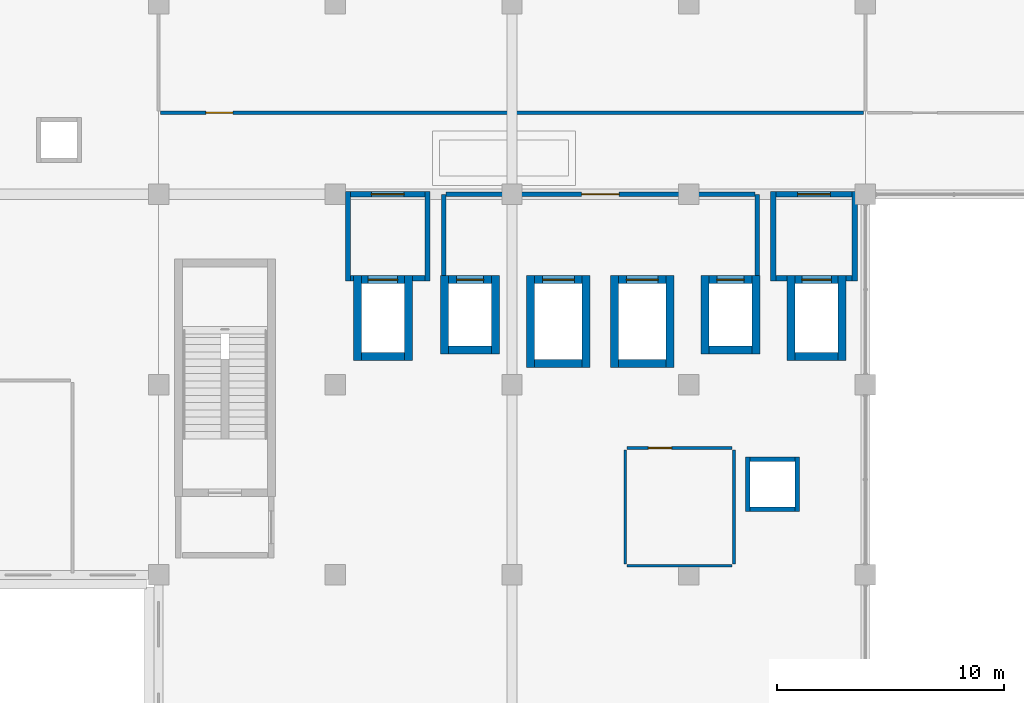
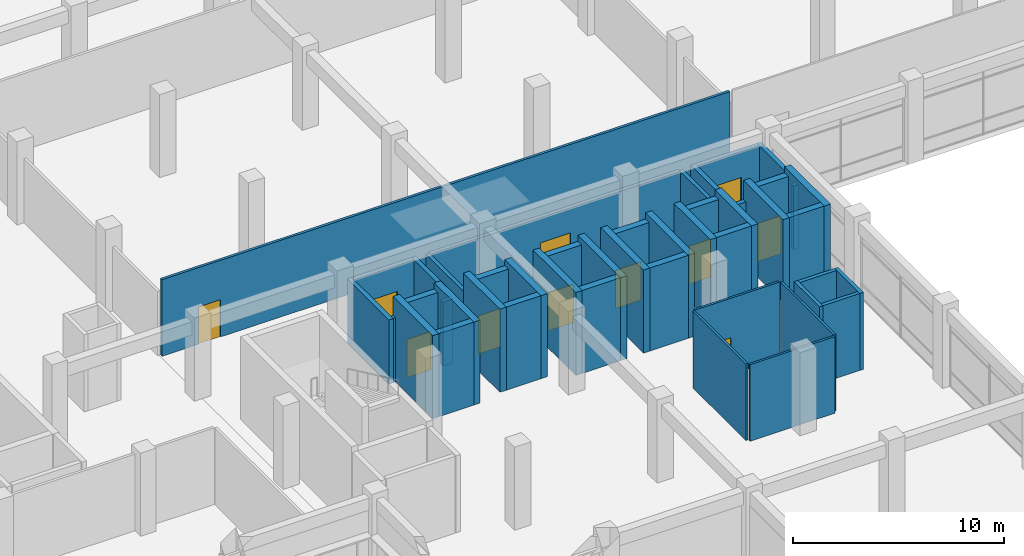
# One storey, part 55 of 79: 46 walls, 11 doors, 11 openings.
"""IFC4 building model written with IfcOpenShell, lengths in metres."""

import ifcopenshell
import ifcopenshell.guid

model = None  # the IFC model being written
_history = None  # IfcOwnerHistory: only IFC2X3 demands one
_inside = {}  # id of a spatial element -> (the spatial element, [elements in it])
_under = {}  # id of a project, library or spatial element -> (it, [spatial elements below it])
_declared = {}  # id of a project -> (the project, [libraries it declares])
_typed = {}  # id of a type object -> (the type object, [elements of that type])
_made_of = {}  # id of a material, layer set ... -> (it, [elements and type objects made of it])


def new_model(schema):
    """Start an empty IFC model of exactly this schema.

    Asked for "IFC4X3", IfcOpenShell would pick the latest addendum, in which some entities
    have other attributes; the version numbers below select the first issue.
    IFC2X3 requires an IfcOwnerHistory on every rooted entity: one is made here for all.
    """
    global model, _history
    if schema == "IFC4X3":
        model = ifcopenshell.file(schema_version=(4, 3, 0, 0))
    else:
        model = ifcopenshell.file(schema=schema)
    _inside.clear()
    _under.clear()
    _declared.clear()
    _typed.clear()
    _made_of.clear()
    _history = None
    if model.schema == "IFC2X3":
        org = make("IfcOrganization", Name="unknown")
        user = make(
            "IfcPersonAndOrganization",
            ThePerson=make("IfcPerson", FamilyName="unknown"),
            TheOrganization=org,
        )
        app = make(
            "IfcApplication",
            ApplicationDeveloper=org,
            Version="unknown",
            ApplicationFullName="unknown",
            ApplicationIdentifier="unknown",
        )
        _history = make(
            "IfcOwnerHistory",
            OwningUser=user,
            OwningApplication=app,
            ChangeAction="ADDED",
            CreationDate=0,
        )
    return model


def make(cls, **values):
    """One entity of the class cls with the attributes given. An attribute that is None is left unset."""
    return model.create_entity(
        cls, **{name: value for name, value in values.items() if value is not None}
    )


def rooted(cls, **values):
    """An entity with a GlobalId (a new one), such as an element, a storey or a relation."""
    return make(cls, GlobalId=ifcopenshell.guid.new(), OwnerHistory=_history, **values)


def si_unit(unit_type, name, prefix=None):
    """IfcSIUnit, for example si_unit("LENGTHUNIT", "METRE", prefix="MILLI")."""
    return make("IfcSIUnit", UnitType=unit_type, Prefix=prefix, Name=name)


def assignment(units):
    """IfcUnitAssignment: the units of a project."""
    return None if units is None else make("IfcUnitAssignment", Units=units)


def point(xyz):
    """IfcCartesianPoint."""
    return None if xyz is None else make("IfcCartesianPoint", Coordinates=xyz)


def direction(xyz):
    """IfcDirection."""
    return None if xyz is None else make("IfcDirection", DirectionRatios=xyz)


def frame(location, z_axis=None, x_axis=None):
    """IfcAxis2Placement3D, a coordinate frame: its origin and axes. An axis left out is left unset."""
    return make(
        "IfcAxis2Placement3D",
        Location=point(location),
        Axis=direction(z_axis),
        RefDirection=direction(x_axis),
    )


def frame_2d(location, x_axis=None):
    """IfcAxis2Placement2D, a coordinate frame in the plane: its origin and x axis."""
    return make(
        "IfcAxis2Placement2D", Location=point(location), RefDirection=direction(x_axis)
    )


def origin():
    """The frame at (0, 0, 0) with its axes left unset."""
    return frame((0.0, 0.0, 0.0))


def place(relative_to, where):
    """IfcLocalPlacement: puts the frame where relative to a parent placement (None: the world)."""
    return make(
        "IfcLocalPlacement", PlacementRelTo=relative_to, RelativePlacement=where
    )


def context(
    kind, dimensions, precision=None, world=None, true_north=None, identifier=None
):
    """IfcGeometricRepresentationContext, for example the 3D "Model" context."""
    return make(
        "IfcGeometricRepresentationContext",
        ContextIdentifier=identifier,
        ContextType=kind,
        CoordinateSpaceDimension=dimensions,
        Precision=precision,
        WorldCoordinateSystem=world,
        TrueNorth=true_north,
    )


def subcontext(parent, identifier, kind, view, scale=None):
    """IfcGeometricRepresentationSubContext, for example "Body" below "Model"."""
    return make(
        "IfcGeometricRepresentationSubContext",
        ContextIdentifier=identifier,
        ContextType=kind,
        ParentContext=parent,
        TargetScale=scale,
        TargetView=view,
    )


def project(units=None, contexts=None):
    """IfcProject with its units and contexts."""
    return rooted(
        "IfcProject",
        Name="project",
        RepresentationContexts=contexts,
        UnitsInContext=assignment(units),
    )


def spatial(cls, under=None, at=None, **own):
    """A site, building, storey or space (cls), placed at a placement, below another one or the project."""
    s = rooted(cls, ObjectPlacement=at, **own)
    if under is not None:
        _under.setdefault(under.id(), (under, []))[1].append(s)
    return s


def profile(cls, at=None, kind="AREA", **sizes):
    """A parametric profile (cls). Its sizes go by their IFC names, for example OverallWidth=200.0."""
    return make(cls, ProfileType=kind, Position=at, **sizes)


def rectangle(**sizes):
    """IfcRectangleProfileDef."""
    return profile("IfcRectangleProfileDef", **sizes)


def extrude(swept, where, along, depth):
    """IfcExtrudedAreaSolid: the profile swept, set in the frame where, extruded along a direction by depth."""
    return make(
        "IfcExtrudedAreaSolid",
        SweptArea=swept,
        Position=where,
        ExtrudedDirection=direction(along),
        Depth=depth,
    )


def shape(context_of_items, identifier, shape_type, items):
    """IfcShapeRepresentation: the items that make up one representation, for example the "Body"."""
    return make(
        "IfcShapeRepresentation",
        ContextOfItems=context_of_items,
        RepresentationIdentifier=identifier,
        RepresentationType=shape_type,
        Items=items,
    )


def material(Name=None, Category=None):
    """IfcMaterial."""
    return make("IfcMaterial", Name=Name, Category=Category)


def layer(
    of_material, thickness, ventilated=None, Name=None, Category=None, Priority=None
):
    """IfcMaterialLayer: one layer of a wall or slab, of a material (None: an air gap)."""
    return make(
        "IfcMaterialLayer",
        Material=of_material,
        LayerThickness=thickness,
        IsVentilated=ventilated,
        Name=Name,
        Category=Category,
        Priority=Priority,
    )


def layer_set(layers, Name=None):
    """IfcMaterialLayerSet."""
    return make("IfcMaterialLayerSet", MaterialLayers=layers, LayerSetName=Name)


def made_of(thing, what):
    """Note that an element or type object is made of a material, layer set ...; save() writes the relation."""
    if what is not None:
        _made_of.setdefault(what.id(), (what, []))[1].append(thing)
    return thing


def type_object(cls, material=None, **own):
    """A type object (cls), such as IfcWallType, which elements share."""
    return made_of(rooted(cls, **own), material)


def element(
    cls,
    number,
    at=None,
    inside=None,
    cuts=None,
    type_object=None,
    material=None,
    context=None,
    identifier="Body",
    shape_type=None,
    held_by="IfcProductDefinitionShape",
    body=None,
    shapes=None,
    **own,
):
    """One element of the class cls, such as IfcWall. Its Tag is "e" and its number.

    at: its placement. inside: the storey or other place that contains it. cuts: it is an
    opening in that element (IfcRelVoidsElement). A single representation is given by context,
    identifier, shape_type and body (its items); several are given by shapes. held_by: the class
    of the entity that holds the representations. save() writes the other relations.
    """
    e = rooted(cls, Tag="e%d" % number, ObjectPlacement=at, **own)
    if body is not None:
        shapes = [shape(context, identifier, shape_type, body)]
    if shapes is not None:
        e.Representation = make(held_by, Representations=shapes)
    if inside is not None:
        _inside.setdefault(inside.id(), (inside, []))[1].append(e)
    if cuts is not None:
        rooted(
            "IfcRelVoidsElement", RelatingBuildingElement=cuts, RelatedOpeningElement=e
        )
    if type_object is not None:
        _typed.setdefault(type_object.id(), (type_object, []))[1].append(e)
    return made_of(e, material)


def fill(opening, filler):
    """IfcRelFillsElement: the door or window that sits in an opening."""
    return rooted(
        "IfcRelFillsElement",
        RelatingOpeningElement=opening,
        RelatedBuildingElement=filler,
    )


def aggregate(whole, parts):
    """IfcRelAggregates: a whole, such as a stair, and the parts it consists of."""
    return rooted("IfcRelAggregates", RelatingObject=whole, RelatedObjects=parts)


def save(model, path):
    """Write the relations noted so far, then the file.

    IfcRelAggregates (storeys below a building ...), IfcRelContainedInSpatialStructure (elements
    in a storey), IfcRelDefinesByType, IfcRelAssociatesMaterial and IfcRelDeclares: one each for
    every whole, place, type object, material and project.
    """
    for whole, parts in _under.values():
        aggregate(whole, parts)
    for where, things in _inside.values():
        rooted(
            "IfcRelContainedInSpatialStructure",
            RelatedElements=things,
            RelatingStructure=where,
        )
    for kind, things in _typed.values():
        rooted("IfcRelDefinesByType", RelatedObjects=things, RelatingType=kind)
    for what, things in _made_of.values():
        rooted("IfcRelAssociatesMaterial", RelatedObjects=things, RelatingMaterial=what)
    for by, libraries in _declared.values():
        rooted("IfcRelDeclares", RelatingContext=by, RelatedDefinitions=libraries)
    model.write(path)


model = new_model("IFC4")

# Units and contexts
model_context = context("Model", 3, precision=1e-05, world=origin(), true_north=direction((0.0, 1.0)))
body_context = subcontext(model_context, "Body", "Model", "MODEL_VIEW")
ifc_project = project(units=[si_unit("LENGTHUNIT", "METRE"), si_unit("AREAUNIT", "SQUARE_METRE"), si_unit("VOLUMEUNIT", "CUBIC_METRE"), si_unit("PLANEANGLEUNIT", "RADIAN"), si_unit("MASSUNIT", "GRAM", prefix="KILO"), si_unit("THERMODYNAMICTEMPERATUREUNIT", "KELVIN"), si_unit("POWERUNIT", "WATT")], contexts=[model_context])

# Site, building, storey
site_placement = place(None, origin())
site = spatial("IfcSite", under=ifc_project, at=site_placement, CompositionType="ELEMENT")
building_placement = place(site_placement, origin())
building = spatial("IfcBuilding", under=site, at=building_placement, Name="Srebrne Nadtorze General Hospital", CompositionType="ELEMENT")
storey_placement = place(building_placement, frame((0.0, 0.0, 4.800048828125)))
storey = spatial("IfcBuildingStorey", under=building, at=storey_placement, Name="L01", CompositionType="ELEMENT", Elevation=4.800048828125)

# Wall, opening, door
ifc_material_1 = material(Name="Gypsum Healthcare Partition")
ifc_layer_1 = layer(ifc_material_1, 0.139892578125)
ifc_layer_set_1 = layer_set([ifc_layer_1], Name="Gypsum Healthcare Partition")
wall_type_1 = type_object("IfcWallType", Name="Clinical partition 140", PredefinedType="PARTITIONING", material=ifc_layer_set_1)
wall_1_placement = place(storey_placement, frame((23.485107421875, 54.0, 0.0), z_axis=(0.0, 0.0, 1.0), x_axis=(1.0, 0.0, 0.0)))
wall_1 = element("IfcWall", 1, at=wall_1_placement, inside=storey, type_object=wall_type_1, Name="Interventional Radiology Suite wall WL-INT-L01-1435", PredefinedType="PARTITIONING", context=body_context, shape_type="SweptSolid", body=[
    extrude(rectangle(XDim=31.02978515625, YDim=0.139892578125, at=frame_2d((15.514892578125, 0.0))), origin(), (0.0, 0.0, 1.0), 4.429931640625),
])
opening_1_placement = place(wall_1_placement, frame((1.995849609375, 0.0, 0.0)))
opening_1 = element("IfcOpeningElement", 2, at=opening_1_placement, cuts=wall_1, Name="Opening D-L01-0224", PredefinedType="OPENING", context=body_context, shape_type="SweptSolid", body=[
    extrude(rectangle(XDim=1.199951171875, YDim=2.14990234375, at=frame_2d((0.60009765625, 1.074951171875))), frame((0.0, 0.08203125, 0.0), z_axis=(0.0, -1.0, 0.0), x_axis=(1.0, 0.0, 0.0)), (0.0, 0.0, 1.0), 0.163818359375),
])
ifc_material_2 = material(Name="Anodised Aluminium", Category="aluminium")
door_type_1 = type_object("IfcDoorType", Name="Single leaf door 1200x2150", OperationType="NOTDEFINED", PredefinedType="DOOR", material=ifc_material_2)
door_1_placement = place(opening_1_placement, origin())
door_1 = element("IfcDoor", 3, at=door_1_placement, inside=storey, type_object=door_type_1, Name="Interventional Radiology Suite door D-L01-0224", OperationType="SINGLE_SWING_LEFT", OverallHeight=2.14990234375, OverallWidth=1.199951171875, PredefinedType="DOOR", context=body_context, shape_type="SweptSolid", body=[
    extrude(rectangle(XDim=1.199951171875, YDim=2.14990234375, at=frame_2d((0.60009765625, 1.074951171875))), frame((0.0, 0.02490234375, 0.0), z_axis=(0.0, -1.0, 0.0), x_axis=(1.0, 0.0, 0.0)), (0.0, 0.0, 1.0), 0.050048828125),
])
fill(opening_1, door_1)

# Walls
ifc_material_3 = material(Name="Gypsum Healthcare Partition")
ifc_layer_2 = layer(ifc_material_3, 0.199951171875)
ifc_layer_set_2 = layer_set([ifc_layer_2], Name="Gypsum Healthcare Partition")
wall_type_2 = type_object("IfcWallType", Name="Compartment wall 200", PredefinedType="STANDARD", material=ifc_layer_set_2)
for number, where, z_axis, x_axis, name in (
    (4, (35.97998046875, 46.81005859375, 0.0), (0.0, 0.0, 1.0), (0.0, 1.0, 0.0), "Lift lobby side wall WL-INT-L01-0946"),
    (5, (49.820068359375, 46.81005859375, 0.0), (0.0, 0.0, 1.0), (0.0, 1.0, 0.0), "Lift lobby side wall WL-INT-L01-0947"),
):
    element("IfcWall", number, at=place(storey_placement, frame(where, z_axis=z_axis, x_axis=x_axis)), inside=storey, type_object=wall_type_2, Name=name, PredefinedType="STANDARD", context=body_context, shape_type="SweptSolid", body=[
        extrude(rectangle(XDim=3.58984375, YDim=0.199951171875, at=frame_2d((1.794921875, 0.0))), origin(), (0.0, 0.0, 1.0), 3.699951171875),
    ])

# Wall, opening, door
wall_2_placement = place(storey_placement, frame((36.080078125, 50.39990234375, 0.0), z_axis=(0.0, 0.0, 1.0), x_axis=(1.0, 0.0, 0.0)))
wall_2 = element("IfcWall", 6, at=wall_2_placement, inside=storey, type_object=wall_type_2, Name="Lift lobby corridor wall WL-INT-L01-0948", PredefinedType="STANDARD", context=body_context, shape_type="SweptSolid", body=[
    extrude(rectangle(XDim=13.639892578125, YDim=0.199951171875, at=frame_2d((6.81982421875, 0.0))), origin(), (0.0, 0.0, 1.0), 3.699951171875),
])
opening_2_placement = place(wall_2_placement, frame((5.9951171875, 0.0, 0.0)))
opening_2 = element("IfcOpeningElement", 7, at=opening_2_placement, cuts=wall_2, Name="Opening D-L01-0129", PredefinedType="OPENING", context=body_context, shape_type="SweptSolid", body=[
    extrude(rectangle(XDim=1.64990234375, YDim=2.25, at=frame_2d((0.824951171875, 1.125))), frame((0.0, 0.11181640625, 0.0), z_axis=(0.0, -1.0, 0.0), x_axis=(1.0, 0.0, 0.0)), (0.0, 0.0, 1.0), 0.223876953125),
])
ifc_material_4 = material(Name="Anodised Aluminium", Category="aluminium")
door_type_2 = type_object("IfcDoorType", Name="Double leaf door 1650x2250", OperationType="DOUBLE_DOOR_SINGLE_SWING", PredefinedType="DOOR", material=ifc_material_4)
door_2_placement = place(opening_2_placement, origin())
door_2 = element("IfcDoor", 8, at=door_2_placement, inside=storey, type_object=door_type_2, Name="Lift lobby corridor door D-L01-0129", OperationType="DOUBLE_DOOR_SINGLE_SWING", OverallHeight=2.25, OverallWidth=1.64990234375, PredefinedType="DOOR", context=body_context, shape_type="SweptSolid", body=[
    extrude(rectangle(XDim=1.64990234375, YDim=2.25, at=frame_2d((0.824951171875, 1.125))), frame((0.0, 0.02490234375, 0.0), z_axis=(0.0, -1.0, 0.0), x_axis=(1.0, 0.0, 0.0)), (0.0, 0.0, 1.0), 0.050048828125),
])
fill(opening_2, door_2)

# Walls
for number, where, z_axis, x_axis, name in (
    (9, (49.39990234375, 36.39990234375, 0.0), (0.0, 0.0, 1.0), (0.0, 1.0, 0.0), "MEP riser wall WL-INT-L01-0957"),
    (10, (51.60009765625, 36.39990234375, 0.0), (0.0, 0.0, 1.0), (0.0, 1.0, 0.0), "MEP riser wall WL-INT-L01-0958"),
):
    element("IfcWall", number, at=place(storey_placement, frame(where, z_axis=z_axis, x_axis=x_axis)), inside=storey, type_object=wall_type_2, Name=name, PredefinedType="STANDARD", context=body_context, shape_type="SweptSolid", body=[
        extrude(rectangle(XDim=2.400146484375, YDim=0.199951171875, at=frame_2d((1.2001953125, 0.0))), origin(), (0.0, 0.0, 1.0), 4.449951171875),
    ])
for number, where, z_axis, x_axis, name in (
    (11, (49.5, 36.5, 0.0), (0.0, 0.0, 1.0), (1.0, 0.0, 0.0), "MEP riser wall WL-INT-L01-0959"),
    (12, (49.5, 38.699951171875, 0.0), (0.0, 0.0, 1.0), (1.0, 0.0, 0.0), "MEP riser wall WL-INT-L01-0960"),
):
    element("IfcWall", number, at=place(storey_placement, frame(where, z_axis=z_axis, x_axis=x_axis)), inside=storey, type_object=wall_type_2, Name=name, PredefinedType="STANDARD", context=body_context, shape_type="SweptSolid", body=[
        extrude(rectangle(XDim=2.0, YDim=0.199951171875, at=frame_2d((1.0, 0.0))), origin(), (0.0, 0.0, 1.0), 4.449951171875),
    ])
ifc_material_5 = material(Name="Gypsum Healthcare Partition")
ifc_layer_3 = layer(ifc_material_5, 0.239990234375)
ifc_layer_set_3 = layer_set([ifc_layer_3], Name="Gypsum Healthcare Partition")
wall_type_3 = type_object("IfcWallType", Name="Corridor fire wall 240", PredefinedType="STANDARD", material=ifc_layer_set_3)
for number, where, z_axis, x_axis, name in (
    (13, (31.760009765625, 46.570068359375, 0.0), (0.0, 0.0, 1.0), (0.0, 1.0, 0.0), "FF lift lobby wall WL-INT-L01-0936"),
    (14, (35.27001953125, 46.570068359375, 0.0), (0.0, 0.0, 1.0), (0.0, 1.0, 0.0), "FF lift lobby wall WL-INT-L01-0937"),
):
    element("IfcWall", number, at=place(storey_placement, frame(where, z_axis=z_axis, x_axis=x_axis)), inside=storey, type_object=wall_type_3, Name=name, PredefinedType="STANDARD", context=body_context, shape_type="SweptSolid", body=[
        extrude(rectangle(XDim=3.949951171875, YDim=0.239990234375, at=frame_2d((1.97509765625, 0.0))), origin(), (0.0, 0.0, 1.0), 3.699951171875),
    ])
wall_3_placement = place(storey_placement, frame((31.8798828125, 46.68994140625, 0.0), z_axis=(0.0, 0.0, 1.0), x_axis=(1.0, 0.0, 0.0)))
element("IfcWall", 15, at=wall_3_placement, inside=storey, type_object=wall_type_3, Name="FF lift lobby return wall WL-INT-L01-0938", PredefinedType="STANDARD", context=body_context, shape_type="SweptSolid", body=[
    extrude(rectangle(XDim=0.1201171875, YDim=0.239990234375, at=frame_2d((0.06005859375, 0.0))), origin(), (0.0, 0.0, 1.0), 3.699951171875),
])
wall_4_placement = place(storey_placement, frame((34.60009765625, 46.68994140625, 0.0), z_axis=(0.0, 0.0, 1.0), x_axis=(1.0, 0.0, 0.0)))
element("IfcWall", 16, at=wall_4_placement, inside=storey, type_object=wall_type_3, Name="FF lift lobby return wall WL-INT-L01-0939", PredefinedType="STANDARD", context=body_context, shape_type="SweptSolid", body=[
    extrude(rectangle(XDim=0.5498046875, YDim=0.239990234375, at=frame_2d((0.27490234375, 0.0))), origin(), (0.0, 0.0, 1.0), 3.699951171875),
])

# Wall, opening, door
wall_5_placement = place(storey_placement, frame((31.8798828125, 50.39990234375, 0.0), z_axis=(0.0, 0.0, 1.0), x_axis=(1.0, 0.0, 0.0)))
wall_5 = element("IfcWall", 17, at=wall_5_placement, inside=storey, type_object=wall_type_3, Name="FF lift lobby front wall WL-INT-L01-0940", PredefinedType="STANDARD", context=body_context, shape_type="SweptSolid", body=[
    extrude(rectangle(XDim=3.27001953125, YDim=0.239990234375, at=frame_2d((1.635009765625, 0.0))), origin(), (0.0, 0.0, 1.0), 3.699951171875),
])
opening_3_placement = place(wall_5_placement, frame((0.909912109375, 0.0, 0.0)))
opening_3 = element("IfcOpeningElement", 18, at=opening_3_placement, cuts=wall_5, Name="Opening D-L01-0127", PredefinedType="OPENING", context=body_context, shape_type="SweptSolid", body=[
    extrude(rectangle(XDim=1.449951171875, YDim=2.199951171875, at=frame_2d((0.72509765625, 1.10009765625))), frame((0.0, 0.1318359375, 0.0), z_axis=(0.0, -1.0, 0.0), x_axis=(1.0, 0.0, 0.0)), (0.0, 0.0, 1.0), 0.263916015625),
])
ifc_material_6 = material(Name="Anodised Aluminium", Category="aluminium")
door_type_3 = type_object("IfcDoorType", Name="Double leaf door 1450x2200", OperationType="DOUBLE_DOOR_SINGLE_SWING", PredefinedType="DOOR", material=ifc_material_6)
door_3_placement = place(opening_3_placement, origin())
door_3 = element("IfcDoor", 19, at=door_3_placement, inside=storey, type_object=door_type_3, Name="Firefighting lift lobby door D-L01-0127", OperationType="DOUBLE_DOOR_SINGLE_SWING", OverallHeight=2.199951171875, OverallWidth=1.449951171875, PredefinedType="DOOR", context=body_context, shape_type="SweptSolid", body=[
    extrude(rectangle(XDim=1.449951171875, YDim=2.199951171875, at=frame_2d((0.72509765625, 1.10009765625))), frame((0.0, 0.02490234375, 0.0), z_axis=(0.0, -1.0, 0.0), x_axis=(1.0, 0.0, 0.0)), (0.0, 0.0, 1.0), 0.050048828125),
])
fill(opening_3, door_3)

# Walls
for number, where, z_axis, x_axis, name in (
    (20, (50.530029296875, 46.570068359375, 0.0), (0.0, 0.0, 1.0), (0.0, 1.0, 0.0), "FF lift lobby wall WL-INT-L01-0941"),
    (21, (54.139892578125, 46.570068359375, 0.0), (0.0, 0.0, 1.0), (0.0, 1.0, 0.0), "FF lift lobby wall WL-INT-L01-0942"),
):
    element("IfcWall", number, at=place(storey_placement, frame(where, z_axis=z_axis, x_axis=x_axis)), inside=storey, type_object=wall_type_3, Name=name, PredefinedType="STANDARD", context=body_context, shape_type="SweptSolid", body=[
        extrude(rectangle(XDim=3.949951171875, YDim=0.239990234375, at=frame_2d((1.97509765625, 0.0))), origin(), (0.0, 0.0, 1.0), 3.699951171875),
    ])
wall_6_placement = place(storey_placement, frame((50.64990234375, 46.68994140625, 0.0), z_axis=(0.0, 0.0, 1.0), x_axis=(1.0, 0.0, 0.0)))
element("IfcWall", 22, at=wall_6_placement, inside=storey, type_object=wall_type_3, Name="FF lift lobby return wall WL-INT-L01-0943", PredefinedType="STANDARD", context=body_context, shape_type="SweptSolid", body=[
    extrude(rectangle(XDim=0.5, YDim=0.239990234375, at=frame_2d((0.25, 0.0))), origin(), (0.0, 0.0, 1.0), 3.699951171875),
])
wall_7_placement = place(storey_placement, frame((53.75, 46.68994140625, 0.0), z_axis=(0.0, 0.0, 1.0), x_axis=(1.0, 0.0, 0.0)))
element("IfcWall", 23, at=wall_7_placement, inside=storey, type_object=wall_type_3, Name="FF lift lobby return wall WL-INT-L01-0944", PredefinedType="STANDARD", context=body_context, shape_type="SweptSolid", body=[
    extrude(rectangle(XDim=0.27001953125, YDim=0.239990234375, at=frame_2d((0.135009765625, 0.0))), origin(), (0.0, 0.0, 1.0), 3.699951171875),
])

# Wall, opening, door
wall_8_placement = place(storey_placement, frame((50.64990234375, 50.39990234375, 0.0), z_axis=(0.0, 0.0, 1.0), x_axis=(1.0, 0.0, 0.0)))
wall_8 = element("IfcWall", 24, at=wall_8_placement, inside=storey, type_object=wall_type_3, Name="FF lift lobby front wall WL-INT-L01-0945", PredefinedType="STANDARD", context=body_context, shape_type="SweptSolid", body=[
    extrude(rectangle(XDim=3.3701171875, YDim=0.239990234375, at=frame_2d((1.68505859375, 0.0))), origin(), (0.0, 0.0, 1.0), 3.699951171875),
])
opening_4_placement = place(wall_8_placement, frame((0.9599609375, 0.0, 0.0)))
opening_4 = element("IfcOpeningElement", 25, at=opening_4_placement, cuts=wall_8, Name="Opening D-L01-0128", PredefinedType="OPENING", context=body_context, shape_type="SweptSolid", body=[
    extrude(rectangle(XDim=1.449951171875, YDim=2.199951171875, at=frame_2d((0.72509765625, 1.10009765625))), frame((0.0, 0.1318359375, 0.0), z_axis=(0.0, -1.0, 0.0), x_axis=(1.0, 0.0, 0.0)), (0.0, 0.0, 1.0), 0.263916015625),
])
door_4_placement = place(opening_4_placement, origin())
door_4 = element("IfcDoor", 26, at=door_4_placement, inside=storey, type_object=door_type_3, Name="Firefighting lift lobby door D-L01-0128", OperationType="DOUBLE_DOOR_SINGLE_SWING", OverallHeight=2.199951171875, OverallWidth=1.449951171875, PredefinedType="DOOR", context=body_context, shape_type="SweptSolid", body=[
    extrude(rectangle(XDim=1.449951171875, YDim=2.199951171875, at=frame_2d((0.72509765625, 1.10009765625))), frame((0.0, 0.02490234375, 0.0), z_axis=(0.0, -1.0, 0.0), x_axis=(1.0, 0.0, 0.0)), (0.0, 0.0, 1.0), 0.050048828125),
])
fill(opening_4, door_4)

ifc_material_7 = material(Name="Gypsum Healthcare Partition")
ifc_layer_4 = layer(ifc_material_7, 0.1201171875)
ifc_layer_set_4 = layer_set([ifc_layer_4], Name="Gypsum Healthcare Partition")
wall_type_4 = type_object("IfcWallType", Name="En-suite partition 120", PredefinedType="PARTITIONING", material=ifc_layer_set_4)
wall_9_placement = place(storey_placement, frame((44.0849609375, 39.199951171875, 0.0), z_axis=(0.0, 0.0, 1.0), x_axis=(1.0, 0.0, 0.0)))
wall_9 = element("IfcWall", 27, at=wall_9_placement, inside=storey, type_object=wall_type_4, Name="Accessible WC wall WL-INT-L01-1479", PredefinedType="PARTITIONING", context=body_context, shape_type="SweptSolid", body=[
    extrude(rectangle(XDim=4.630126953125, YDim=0.1201171875, at=frame_2d((2.31494140625, 0.0))), origin(), (0.0, 0.0, 1.0), 4.429931640625),
])
opening_5_placement = place(wall_9_placement, frame((0.941162109375, 0.0, 0.0)))
opening_5 = element("IfcOpeningElement", 28, at=opening_5_placement, cuts=wall_9, Name="Opening D-L01-0235", PredefinedType="OPENING", context=body_context, shape_type="SweptSolid", body=[
    extrude(rectangle(XDim=1.02001953125, YDim=2.14990234375, at=frame_2d((0.510009765625, 1.074951171875))), frame((0.0, 0.072021484375, 0.0), z_axis=(0.0, -1.0, 0.0), x_axis=(1.0, 0.0, 0.0)), (0.0, 0.0, 1.0), 0.14404296875),
])
ifc_material_8 = material(Name="Anodised Aluminium", Category="aluminium")
door_type_4 = type_object("IfcDoorType", Name="Single leaf door 1020x2150", OperationType="NOTDEFINED", PredefinedType="DOOR", material=ifc_material_8)
door_5_placement = place(opening_5_placement, frame((1.02001953125, 0.0, 0.0), z_axis=(0.0, 0.0, 1.0), x_axis=(-1.0, 0.0, 0.0)))
door_5 = element("IfcDoor", 29, at=door_5_placement, inside=storey, type_object=door_type_4, Name="Accessible WC door D-L01-0235", OperationType="SINGLE_SWING_RIGHT", OverallHeight=2.14990234375, OverallWidth=1.02001953125, PredefinedType="DOOR", context=body_context, shape_type="SweptSolid", body=[
    extrude(rectangle(XDim=1.02001953125, YDim=2.14990234375, at=frame_2d((0.510009765625, 1.074951171875))), frame((0.0, 0.02490234375, 0.0), z_axis=(0.0, -1.0, 0.0), x_axis=(1.0, 0.0, 0.0)), (0.0, 0.0, 1.0), 0.050048828125),
])
fill(opening_5, door_5)

# Walls
wall_10_placement = place(storey_placement, frame((44.0849609375, 34.0, 0.0), z_axis=(0.0, 0.0, 1.0), x_axis=(1.0, 0.0, 0.0)))
element("IfcWall", 30, at=wall_10_placement, inside=storey, type_object=wall_type_4, Name="Accessible WC wall WL-INT-L01-1480", PredefinedType="PARTITIONING", context=body_context, shape_type="SweptSolid", body=[
    extrude(rectangle(XDim=4.630126953125, YDim=0.1201171875, at=frame_2d((2.31494140625, 0.0))), origin(), (0.0, 0.0, 1.0), 4.429931640625),
])
for number, where, z_axis, x_axis, name in (
    (31, (44.0, 34.0849609375, 0.0), (0.0, 0.0, 1.0), (0.0, 1.0, 0.0), "Accessible WC wall WL-INT-L01-1481"),
    (32, (48.800048828125, 34.0849609375, 0.0), (0.0, 0.0, 1.0), (0.0, 1.0, 0.0), "Accessible WC wall WL-INT-L01-1482"),
):
    element("IfcWall", number, at=place(storey_placement, frame(where, z_axis=z_axis, x_axis=x_axis)), inside=storey, type_object=wall_type_4, Name=name, PredefinedType="PARTITIONING", context=body_context, shape_type="SweptSolid", body=[
        extrude(rectangle(XDim=5.030029296875, YDim=0.1201171875, at=frame_2d((2.51513671875, 0.0))), origin(), (0.0, 0.0, 1.0), 4.429931640625),
    ])
ifc_material_9 = material(Name="Concrete C40/50", Category="concrete")
ifc_layer_5 = layer(ifc_material_9, 0.35009765625)
ifc_layer_set_5 = layer_set([ifc_layer_5], Name="Concrete C40/50")
wall_type_5 = type_object("IfcWallType", Name="Shear core wall 350", PredefinedType="SHEAR", material=ifc_layer_set_5)
for number, where, z_axis, x_axis, name in (
    (33, (32.175048828125, 43.06005859375, 0.0), (0.0, 0.0, 1.0), (0.0, 1.0, 0.0), "Lift shaft wall FL-01 WL-INT-L01-0474"),
    (34, (34.425048828125, 43.06005859375, 0.0), (0.0, 0.0, 1.0), (0.0, 1.0, 0.0), "Lift shaft wall FL-01 WL-INT-L01-0475"),
):
    element("IfcWall", number, at=place(storey_placement, frame(where, z_axis=z_axis, x_axis=x_axis)), inside=storey, type_object=wall_type_5, Name=name, PredefinedType="SHEAR", context=body_context, shape_type="SweptSolid", body=[
        extrude(rectangle(XDim=3.75, YDim=0.35009765625, at=frame_2d((1.875, 0.0))), origin(), (0.0, 0.0, 1.0), 4.800048828125),
    ])
wall_11_placement = place(storey_placement, frame((32.35009765625, 43.235107421875, 0.0), z_axis=(0.0, 0.0, 1.0), x_axis=(1.0, 0.0, 0.0)))
element("IfcWall", 35, at=wall_11_placement, inside=storey, type_object=wall_type_5, Name="Lift shaft back wall FL-01 WL-INT-L01-0476", PredefinedType="SHEAR", context=body_context, shape_type="SweptSolid", body=[
    extrude(rectangle(XDim=1.89990234375, YDim=0.35009765625, at=frame_2d((0.949951171875, 0.0))), origin(), (0.0, 0.0, 1.0), 4.800048828125),
])

# Wall, opening, door
wall_12_placement = place(storey_placement, frame((32.35009765625, 46.635009765625, 0.0), z_axis=(0.0, 0.0, 1.0), x_axis=(1.0, 0.0, 0.0)))
wall_12 = element("IfcWall", 36, at=wall_12_placement, inside=storey, type_object=wall_type_5, Name="Lift shaft front wall FL-01 WL-INT-L01-0477", PredefinedType="SHEAR", context=body_context, shape_type="SweptSolid", body=[
    extrude(rectangle(XDim=1.89990234375, YDim=0.35009765625, at=frame_2d((0.949951171875, 0.0))), origin(), (0.0, 0.0, 1.0), 4.449951171875),
])
opening_6_placement = place(wall_12_placement, frame((0.300048828125, 0.0, 0.0)))
opening_6 = element("IfcOpeningElement", 37, at=opening_6_placement, cuts=wall_12, Name="Opening LD-L01-003", PredefinedType="OPENING", context=body_context, shape_type="SweptSolid", body=[
    extrude(rectangle(XDim=1.300048828125, YDim=2.199951171875, at=frame_2d((0.64990234375, 1.10009765625))), frame((0.0, 0.18701171875, 0.0), z_axis=(0.0, -1.0, 0.0), x_axis=(1.0, 0.0, 0.0)), (0.0, 0.0, 1.0), 0.3740234375),
])
ifc_material_10 = material(Name="Anodised Aluminium", Category="aluminium")
door_type_5 = type_object("IfcDoorType", Name="Sliding lift door 1300x2200", OperationType="SLIDING_TO_LEFT", PredefinedType="DOOR", material=ifc_material_10)
door_6_placement = place(opening_6_placement, origin())
door_6 = element("IfcDoor", 38, at=door_6_placement, inside=storey, type_object=door_type_5, Name="Lift Landing Door LD-L01-003", OperationType="SLIDING_TO_LEFT", OverallHeight=2.199951171875, OverallWidth=1.300048828125, PredefinedType="DOOR", context=body_context, shape_type="SweptSolid", body=[
    extrude(rectangle(XDim=1.300048828125, YDim=2.199951171875, at=frame_2d((0.64990234375, 1.10009765625))), frame((0.0, 0.02490234375, 0.0), z_axis=(0.0, -1.0, 0.0), x_axis=(1.0, 0.0, 0.0)), (0.0, 0.0, 1.0), 0.050048828125),
])
fill(opening_6, door_6)

# Walls
for number, where, z_axis, x_axis, name in (
    (39, (36.02490234375, 43.360107421875, 0.0), (0.0, 0.0, 1.0), (0.0, 1.0, 0.0), "Lift shaft wall LP-01 WL-INT-L01-0514"),
    (40, (38.27490234375, 43.360107421875, 0.0), (0.0, 0.0, 1.0), (0.0, 1.0, 0.0), "Lift shaft wall LP-01 WL-INT-L01-0515"),
):
    element("IfcWall", number, at=place(storey_placement, frame(where, z_axis=z_axis, x_axis=x_axis)), inside=storey, type_object=wall_type_5, Name=name, PredefinedType="SHEAR", context=body_context, shape_type="SweptSolid", body=[
        extrude(rectangle(XDim=3.449951171875, YDim=0.35009765625, at=frame_2d((1.72509765625, 0.0))), origin(), (0.0, 0.0, 1.0), 4.800048828125),
    ])
wall_13_placement = place(storey_placement, frame((36.199951171875, 43.534912109375, 0.0), z_axis=(0.0, 0.0, 1.0), x_axis=(1.0, 0.0, 0.0)))
element("IfcWall", 41, at=wall_13_placement, inside=storey, type_object=wall_type_5, Name="Lift shaft back wall LP-01 WL-INT-L01-0516", PredefinedType="SHEAR", context=body_context, shape_type="SweptSolid", body=[
    extrude(rectangle(XDim=1.900146484375, YDim=0.35009765625, at=frame_2d((0.9501953125, 0.0))), origin(), (0.0, 0.0, 1.0), 4.800048828125),
])

# Wall, opening, door
wall_14_placement = place(storey_placement, frame((36.199951171875, 46.635009765625, 0.0), z_axis=(0.0, 0.0, 1.0), x_axis=(1.0, 0.0, 0.0)))
wall_14 = element("IfcWall", 42, at=wall_14_placement, inside=storey, type_object=wall_type_5, Name="Lift shaft front wall LP-01 WL-INT-L01-0517", PredefinedType="SHEAR", context=body_context, shape_type="SweptSolid", body=[
    extrude(rectangle(XDim=1.900146484375, YDim=0.35009765625, at=frame_2d((0.9501953125, 0.0))), origin(), (0.0, 0.0, 1.0), 4.449951171875),
])
opening_7_placement = place(wall_14_placement, frame((0.35009765625, 0.0, 0.0)))
opening_7 = element("IfcOpeningElement", 43, at=opening_7_placement, cuts=wall_14, Name="Opening LD-L01-013", PredefinedType="OPENING", context=body_context, shape_type="SweptSolid", body=[
    extrude(rectangle(XDim=1.199951171875, YDim=2.199951171875, at=frame_2d((0.60009765625, 1.10009765625))), frame((0.0, 0.18701171875, 0.0), z_axis=(0.0, -1.0, 0.0), x_axis=(1.0, 0.0, 0.0)), (0.0, 0.0, 1.0), 0.3740234375),
])
ifc_material_11 = material(Name="Anodised Aluminium", Category="aluminium")
door_type_6 = type_object("IfcDoorType", Name="Sliding lift door 1200x2200", OperationType="SLIDING_TO_LEFT", PredefinedType="DOOR", material=ifc_material_11)
door_7_placement = place(opening_7_placement, origin())
door_7 = element("IfcDoor", 44, at=door_7_placement, inside=storey, type_object=door_type_6, Name="Lift Landing Door LD-L01-013", OperationType="SLIDING_TO_LEFT", OverallHeight=2.199951171875, OverallWidth=1.199951171875, PredefinedType="DOOR", context=body_context, shape_type="SweptSolid", body=[
    extrude(rectangle(XDim=1.199951171875, YDim=2.199951171875, at=frame_2d((0.60009765625, 1.10009765625))), frame((0.0, 0.02490234375, 0.0), z_axis=(0.0, -1.0, 0.0), x_axis=(1.0, 0.0, 0.0)), (0.0, 0.0, 1.0), 0.050048828125),
])
fill(opening_7, door_7)

# Walls
for number, where, z_axis, x_axis, name in (
    (45, (39.824951171875, 42.760009765625, 0.0), (0.0, 0.0, 1.0), (0.0, 1.0, 0.0), "Lift shaft wall LS-01 WL-INT-L01-0550"),
    (46, (42.27490234375, 42.760009765625, 0.0), (0.0, 0.0, 1.0), (0.0, 1.0, 0.0), "Lift shaft wall LS-01 WL-INT-L01-0551"),
):
    element("IfcWall", number, at=place(storey_placement, frame(where, z_axis=z_axis, x_axis=x_axis)), inside=storey, type_object=wall_type_5, Name=name, PredefinedType="SHEAR", context=body_context, shape_type="SweptSolid", body=[
        extrude(rectangle(XDim=4.050048828125, YDim=0.35009765625, at=frame_2d((2.02490234375, 0.0))), origin(), (0.0, 0.0, 1.0), 4.800048828125),
    ])
wall_15_placement = place(storey_placement, frame((40.0, 42.93505859375, 0.0), z_axis=(0.0, 0.0, 1.0), x_axis=(1.0, 0.0, 0.0)))
element("IfcWall", 47, at=wall_15_placement, inside=storey, type_object=wall_type_5, Name="Lift shaft back wall LS-01 WL-INT-L01-0552", PredefinedType="SHEAR", context=body_context, shape_type="SweptSolid", body=[
    extrude(rectangle(XDim=2.10009765625, YDim=0.35009765625, at=frame_2d((1.050048828125, 0.0))), origin(), (0.0, 0.0, 1.0), 4.800048828125),
])

# Wall, opening, door
wall_16_placement = place(storey_placement, frame((40.0, 46.635009765625, 0.0), z_axis=(0.0, 0.0, 1.0), x_axis=(1.0, 0.0, 0.0)))
wall_16 = element("IfcWall", 48, at=wall_16_placement, inside=storey, type_object=wall_type_5, Name="Lift shaft front wall LS-01 WL-INT-L01-0553", PredefinedType="SHEAR", context=body_context, shape_type="SweptSolid", body=[
    extrude(rectangle(XDim=2.10009765625, YDim=0.35009765625, at=frame_2d((1.050048828125, 0.0))), origin(), (0.0, 0.0, 1.0), 4.449951171875),
])
opening_8_placement = place(wall_16_placement, frame((0.35009765625, 0.0, 0.0)))
opening_8 = element("IfcOpeningElement", 49, at=opening_8_placement, cuts=wall_16, Name="Opening LD-L01-022", PredefinedType="OPENING", context=body_context, shape_type="SweptSolid", body=[
    extrude(rectangle(XDim=1.39990234375, YDim=2.199951171875, at=frame_2d((0.699951171875, 1.10009765625))), frame((0.0, 0.18701171875, 0.0), z_axis=(0.0, -1.0, 0.0), x_axis=(1.0, 0.0, 0.0)), (0.0, 0.0, 1.0), 0.3740234375),
])
ifc_material_12 = material(Name="Anodised Aluminium", Category="aluminium")
door_type_7 = type_object("IfcDoorType", Name="Sliding lift door 1400x2200", OperationType="SLIDING_TO_LEFT", PredefinedType="DOOR", material=ifc_material_12)
door_8_placement = place(opening_8_placement, origin())
door_8 = element("IfcDoor", 50, at=door_8_placement, inside=storey, type_object=door_type_7, Name="Lift Landing Door LD-L01-022", OperationType="SLIDING_TO_LEFT", OverallHeight=2.199951171875, OverallWidth=1.39990234375, PredefinedType="DOOR", context=body_context, shape_type="SweptSolid", body=[
    extrude(rectangle(XDim=1.39990234375, YDim=2.199951171875, at=frame_2d((0.699951171875, 1.10009765625))), frame((0.0, 0.02490234375, 0.0), z_axis=(0.0, -1.0, 0.0), x_axis=(1.0, 0.0, 0.0)), (0.0, 0.0, 1.0), 0.050048828125),
])
fill(opening_8, door_8)

# Walls
for number, where, z_axis, x_axis, name in (
    (51, (43.52490234375, 42.760009765625, 0.0), (0.0, 0.0, 1.0), (0.0, 1.0, 0.0), "Lift shaft wall LS-02 WL-INT-L01-0590"),
    (52, (45.97509765625, 42.760009765625, 0.0), (0.0, 0.0, 1.0), (0.0, 1.0, 0.0), "Lift shaft wall LS-02 WL-INT-L01-0591"),
):
    element("IfcWall", number, at=place(storey_placement, frame(where, z_axis=z_axis, x_axis=x_axis)), inside=storey, type_object=wall_type_5, Name=name, PredefinedType="SHEAR", context=body_context, shape_type="SweptSolid", body=[
        extrude(rectangle(XDim=4.050048828125, YDim=0.35009765625, at=frame_2d((2.02490234375, 0.0))), origin(), (0.0, 0.0, 1.0), 4.800048828125),
    ])
wall_17_placement = place(storey_placement, frame((43.699951171875, 42.93505859375, 0.0), z_axis=(0.0, 0.0, 1.0), x_axis=(1.0, 0.0, 0.0)))
element("IfcWall", 53, at=wall_17_placement, inside=storey, type_object=wall_type_5, Name="Lift shaft back wall LS-02 WL-INT-L01-0592", PredefinedType="SHEAR", context=body_context, shape_type="SweptSolid", body=[
    extrude(rectangle(XDim=2.10009765625, YDim=0.35009765625, at=frame_2d((1.050048828125, 0.0))), origin(), (0.0, 0.0, 1.0), 4.800048828125),
])

# Wall, opening, door
wall_18_placement = place(storey_placement, frame((43.699951171875, 46.635009765625, 0.0), z_axis=(0.0, 0.0, 1.0), x_axis=(1.0, 0.0, 0.0)))
wall_18 = element("IfcWall", 54, at=wall_18_placement, inside=storey, type_object=wall_type_5, Name="Lift shaft front wall LS-02 WL-INT-L01-0593", PredefinedType="SHEAR", context=body_context, shape_type="SweptSolid", body=[
    extrude(rectangle(XDim=2.10009765625, YDim=0.35009765625, at=frame_2d((1.050048828125, 0.0))), origin(), (0.0, 0.0, 1.0), 4.449951171875),
])
opening_9_placement = place(wall_18_placement, frame((0.35009765625, 0.0, 0.0)))
opening_9 = element("IfcOpeningElement", 55, at=opening_9_placement, cuts=wall_18, Name="Opening LD-L01-032", PredefinedType="OPENING", context=body_context, shape_type="SweptSolid", body=[
    extrude(rectangle(XDim=1.39990234375, YDim=2.199951171875, at=frame_2d((0.699951171875, 1.10009765625))), frame((0.0, 0.18701171875, 0.0), z_axis=(0.0, -1.0, 0.0), x_axis=(1.0, 0.0, 0.0)), (0.0, 0.0, 1.0), 0.3740234375),
])
door_9_placement = place(opening_9_placement, origin())
door_9 = element("IfcDoor", 56, at=door_9_placement, inside=storey, type_object=door_type_7, Name="Lift Landing Door LD-L01-032", OperationType="SLIDING_TO_LEFT", OverallHeight=2.199951171875, OverallWidth=1.39990234375, PredefinedType="DOOR", context=body_context, shape_type="SweptSolid", body=[
    extrude(rectangle(XDim=1.39990234375, YDim=2.199951171875, at=frame_2d((0.699951171875, 1.10009765625))), frame((0.0, 0.02490234375, 0.0), z_axis=(0.0, -1.0, 0.0), x_axis=(1.0, 0.0, 0.0)), (0.0, 0.0, 1.0), 0.050048828125),
])
fill(opening_9, door_9)

# Walls
for number, where, z_axis, x_axis, name in (
    (57, (47.52490234375, 43.360107421875, 0.0), (0.0, 0.0, 1.0), (0.0, 1.0, 0.0), "Lift shaft wall LP-02 WL-INT-L01-0630"),
    (58, (49.77490234375, 43.360107421875, 0.0), (0.0, 0.0, 1.0), (0.0, 1.0, 0.0), "Lift shaft wall LP-02 WL-INT-L01-0631"),
):
    element("IfcWall", number, at=place(storey_placement, frame(where, z_axis=z_axis, x_axis=x_axis)), inside=storey, type_object=wall_type_5, Name=name, PredefinedType="SHEAR", context=body_context, shape_type="SweptSolid", body=[
        extrude(rectangle(XDim=3.449951171875, YDim=0.35009765625, at=frame_2d((1.72509765625, 0.0))), origin(), (0.0, 0.0, 1.0), 4.800048828125),
    ])
wall_19_placement = place(storey_placement, frame((47.699951171875, 43.534912109375, 0.0), z_axis=(0.0, 0.0, 1.0), x_axis=(1.0, 0.0, 0.0)))
element("IfcWall", 59, at=wall_19_placement, inside=storey, type_object=wall_type_5, Name="Lift shaft back wall LP-02 WL-INT-L01-0632", PredefinedType="SHEAR", context=body_context, shape_type="SweptSolid", body=[
    extrude(rectangle(XDim=1.900146484375, YDim=0.35009765625, at=frame_2d((0.9501953125, 0.0))), origin(), (0.0, 0.0, 1.0), 4.800048828125),
])

# Wall, opening, door
wall_20_placement = place(storey_placement, frame((47.699951171875, 46.635009765625, 0.0), z_axis=(0.0, 0.0, 1.0), x_axis=(1.0, 0.0, 0.0)))
wall_20 = element("IfcWall", 60, at=wall_20_placement, inside=storey, type_object=wall_type_5, Name="Lift shaft front wall LP-02 WL-INT-L01-0633", PredefinedType="SHEAR", context=body_context, shape_type="SweptSolid", body=[
    extrude(rectangle(XDim=1.900146484375, YDim=0.35009765625, at=frame_2d((0.9501953125, 0.0))), origin(), (0.0, 0.0, 1.0), 4.449951171875),
])
opening_10_placement = place(wall_20_placement, frame((0.35009765625, 0.0, 0.0)))
opening_10 = element("IfcOpeningElement", 61, at=opening_10_placement, cuts=wall_20, Name="Opening LD-L01-042", PredefinedType="OPENING", context=body_context, shape_type="SweptSolid", body=[
    extrude(rectangle(XDim=1.199951171875, YDim=2.199951171875, at=frame_2d((0.60009765625, 1.10009765625))), frame((0.0, 0.18701171875, 0.0), z_axis=(0.0, -1.0, 0.0), x_axis=(1.0, 0.0, 0.0)), (0.0, 0.0, 1.0), 0.3740234375),
])
door_10_placement = place(opening_10_placement, origin())
door_10 = element("IfcDoor", 62, at=door_10_placement, inside=storey, type_object=door_type_6, Name="Lift Landing Door LD-L01-042", OperationType="SLIDING_TO_LEFT", OverallHeight=2.199951171875, OverallWidth=1.199951171875, PredefinedType="DOOR", context=body_context, shape_type="SweptSolid", body=[
    extrude(rectangle(XDim=1.199951171875, YDim=2.199951171875, at=frame_2d((0.60009765625, 1.10009765625))), frame((0.0, 0.02490234375, 0.0), z_axis=(0.0, -1.0, 0.0), x_axis=(1.0, 0.0, 0.0)), (0.0, 0.0, 1.0), 0.050048828125),
])
fill(opening_10, door_10)

# Walls
for number, where, z_axis, x_axis, name in (
    (63, (51.324951171875, 43.06005859375, 0.0), (0.0, 0.0, 1.0), (0.0, 1.0, 0.0), "Lift shaft wall FL-02 WL-INT-L01-0666"),
    (64, (53.574951171875, 43.06005859375, 0.0), (0.0, 0.0, 1.0), (0.0, 1.0, 0.0), "Lift shaft wall FL-02 WL-INT-L01-0667"),
):
    element("IfcWall", number, at=place(storey_placement, frame(where, z_axis=z_axis, x_axis=x_axis)), inside=storey, type_object=wall_type_5, Name=name, PredefinedType="SHEAR", context=body_context, shape_type="SweptSolid", body=[
        extrude(rectangle(XDim=3.75, YDim=0.35009765625, at=frame_2d((1.875, 0.0))), origin(), (0.0, 0.0, 1.0), 4.800048828125),
    ])
wall_21_placement = place(storey_placement, frame((51.5, 43.235107421875, 0.0), z_axis=(0.0, 0.0, 1.0), x_axis=(1.0, 0.0, 0.0)))
element("IfcWall", 65, at=wall_21_placement, inside=storey, type_object=wall_type_5, Name="Lift shaft back wall FL-02 WL-INT-L01-0668", PredefinedType="SHEAR", context=body_context, shape_type="SweptSolid", body=[
    extrude(rectangle(XDim=1.89990234375, YDim=0.35009765625, at=frame_2d((0.949951171875, 0.0))), origin(), (0.0, 0.0, 1.0), 4.800048828125),
])

# Wall, opening, door
wall_22_placement = place(storey_placement, frame((51.5, 46.635009765625, 0.0), z_axis=(0.0, 0.0, 1.0), x_axis=(1.0, 0.0, 0.0)))
wall_22 = element("IfcWall", 66, at=wall_22_placement, inside=storey, type_object=wall_type_5, Name="Lift shaft front wall FL-02 WL-INT-L01-0669", PredefinedType="SHEAR", context=body_context, shape_type="SweptSolid", body=[
    extrude(rectangle(XDim=1.89990234375, YDim=0.35009765625, at=frame_2d((0.949951171875, 0.0))), origin(), (0.0, 0.0, 1.0), 4.449951171875),
])
opening_11_placement = place(wall_22_placement, frame((0.300048828125, 0.0, 0.0)))
opening_11 = element("IfcOpeningElement", 67, at=opening_11_placement, cuts=wall_22, Name="Opening LD-L01-051", PredefinedType="OPENING", context=body_context, shape_type="SweptSolid", body=[
    extrude(rectangle(XDim=1.300048828125, YDim=2.199951171875, at=frame_2d((0.64990234375, 1.10009765625))), frame((0.0, 0.18701171875, 0.0), z_axis=(0.0, -1.0, 0.0), x_axis=(1.0, 0.0, 0.0)), (0.0, 0.0, 1.0), 0.3740234375),
])
door_11_placement = place(opening_11_placement, origin())
door_11 = element("IfcDoor", 68, at=door_11_placement, inside=storey, type_object=door_type_5, Name="Lift Landing Door LD-L01-051", OperationType="SLIDING_TO_LEFT", OverallHeight=2.199951171875, OverallWidth=1.300048828125, PredefinedType="DOOR", context=body_context, shape_type="SweptSolid", body=[
    extrude(rectangle(XDim=1.300048828125, YDim=2.199951171875, at=frame_2d((0.64990234375, 1.10009765625))), frame((0.0, 0.02490234375, 0.0), z_axis=(0.0, -1.0, 0.0), x_axis=(1.0, 0.0, 0.0)), (0.0, 0.0, 1.0), 0.050048828125),
])
fill(opening_11, door_11)

save(model, "model.ifc")
